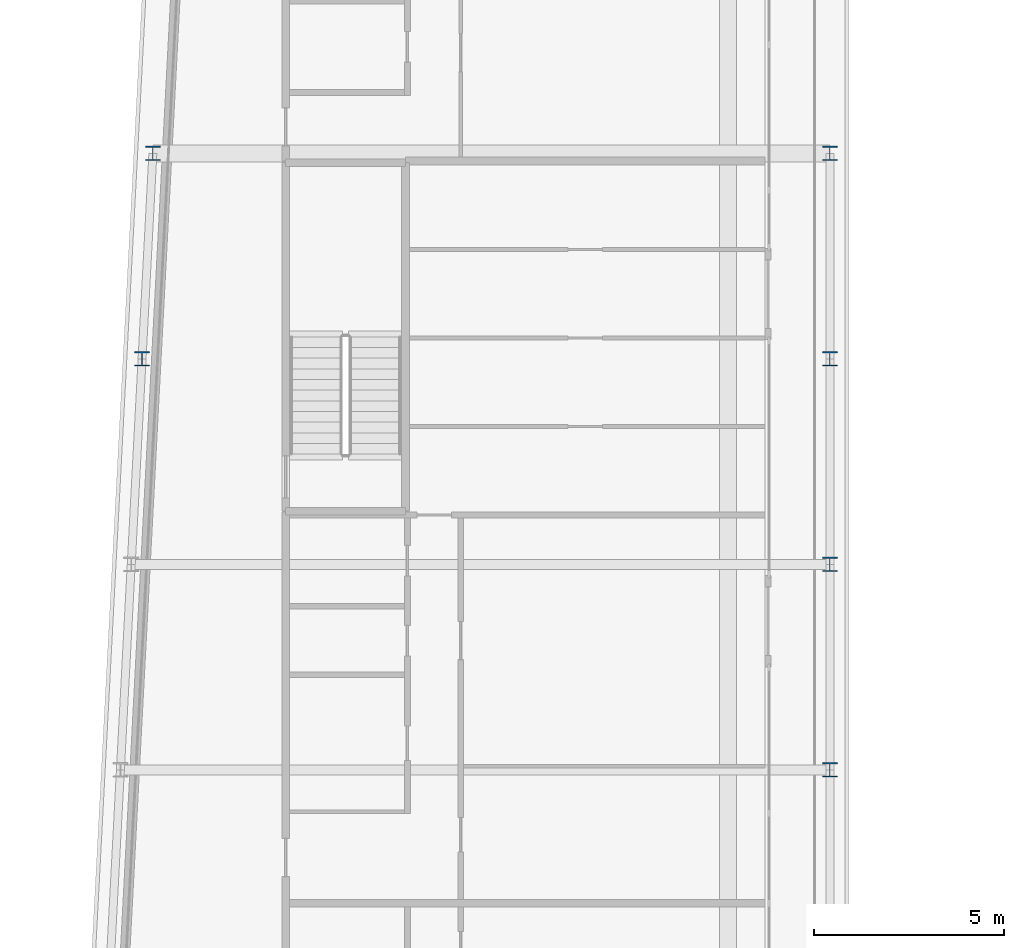
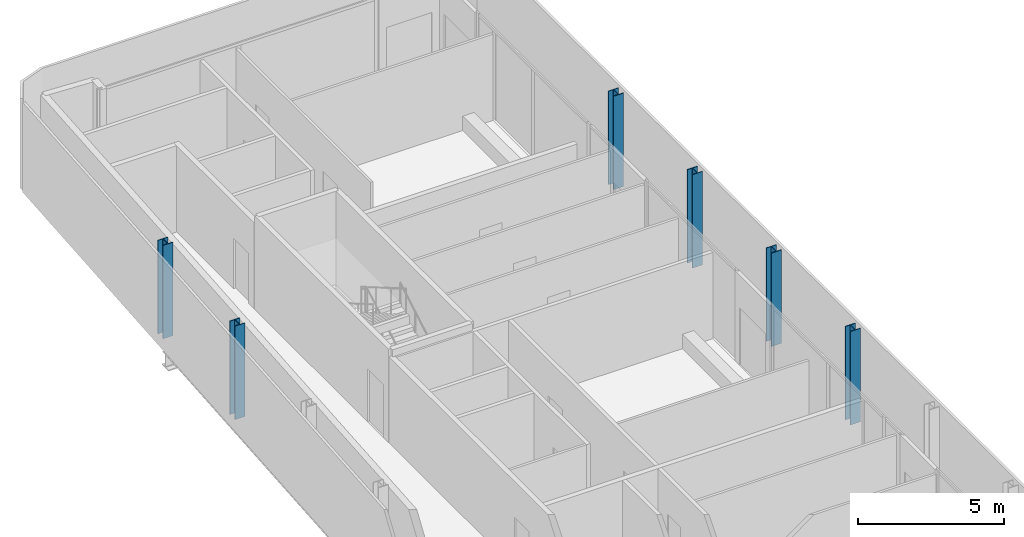
# One storey, part 4 of 21: 6 columns.
"""IFC4 building model written with IfcOpenShell, lengths in metres."""

from ifc_helpers import new_model, si_unit, direction, frame, origin, origin_2d, place, context, subcontext, project, spatial, i_section, extrude, material, material_profile, profile_set, type_object, element, save


model = new_model("IFC4")

# Units and contexts
model_context = context("Model", 3, precision=1e-05, world=origin(), true_north=direction((0.0, 1.0)))
body_context = subcontext(model_context, "Body", "Model", "MODEL_VIEW")
ifc_project = project(units=[si_unit("LENGTHUNIT", "METRE"), si_unit("AREAUNIT", "SQUARE_METRE"), si_unit("VOLUMEUNIT", "CUBIC_METRE"), si_unit("PLANEANGLEUNIT", "RADIAN"), si_unit("MASSUNIT", "GRAM", prefix="KILO")], contexts=[model_context])

# Site, building, storey
site_placement = place(None, origin())
site = spatial("IfcSite", under=ifc_project, at=site_placement, CompositionType="ELEMENT")
building_placement = place(site_placement, origin())
building = spatial("IfcBuilding", under=site, at=building_placement, Name="Kheshtan School and Residences Tower", CompositionType="ELEMENT")
storey_placement = place(building_placement, frame((0.0, 0.0, 309.800048828125)))
storey = spatial("IfcBuildingStorey", under=building, at=storey_placement, Name="L73", CompositionType="ELEMENT", Elevation=309.800048828125)

# Columns
ifc_material = material(Name="Steel ASTM A992 Grade 50", Category="steel")
ifc_material_profile = material_profile(ifc_material, i_section(OverallWidth=0.39501953125, OverallDepth=0.3798828125, WebThickness=0.018798828125, FlangeThickness=0.0302734375, FilletRadius=0.011474609375, at=origin_2d()), Name="W360x237")
ifc_profile_set = profile_set([ifc_material_profile], Name="Steel ASTM A992 Grade 50")
column_type = type_object("IfcColumnType", Name="Column C5 W360x237 ASTM A992 Grade 50", PredefinedType="COLUMN", material=ifc_profile_set)
for number, where, z_axis, x_axis, name in (
    (1, (47.60009765625, 72.60009765625, 0.0), (0.0, 0.0, 1.0), (1.0, 0.0, 0.0), "Column C087"),
    (2, (47.60009765625, 78.0, 0.0), (0.0, 0.0, 1.0), (1.0, 0.0, 0.0), "Column C089"),
    (3, (29.527099609375, 83.39990234375, 0.0), (0.0, 0.0, 1.0), (1.0, 0.0, 0.0), "Column C090"),
    (4, (47.60009765625, 83.39990234375, 0.0), (0.0, 0.0, 1.0), (1.0, 0.0, 0.0), "Column C091"),
    (5, (29.81103515625, 88.800048828125, 0.0), (0.0, 0.0, 1.0), (1.0, 0.0, 0.0), "Column C098"),
    (6, (47.60009765625, 88.800048828125, 0.0), (0.0, 0.0, 1.0), (1.0, 0.0, 0.0), "Column C099"),
):
    element("IfcColumn", number, at=place(storey_placement, frame(where, z_axis=z_axis, x_axis=x_axis)), inside=storey, type_object=column_type, Name=name, PredefinedType="COLUMN", context=body_context, shape_type="SweptSolid", body=[
        extrude(i_section(OverallWidth=0.39501953125, OverallDepth=0.3798828125, WebThickness=0.018798828125, FlangeThickness=0.0302734375, FilletRadius=0.011474609375, at=origin_2d()), origin(), (0.0, 0.0, 1.0), 3.89990234375),
    ])

save(model, "model.ifc")
